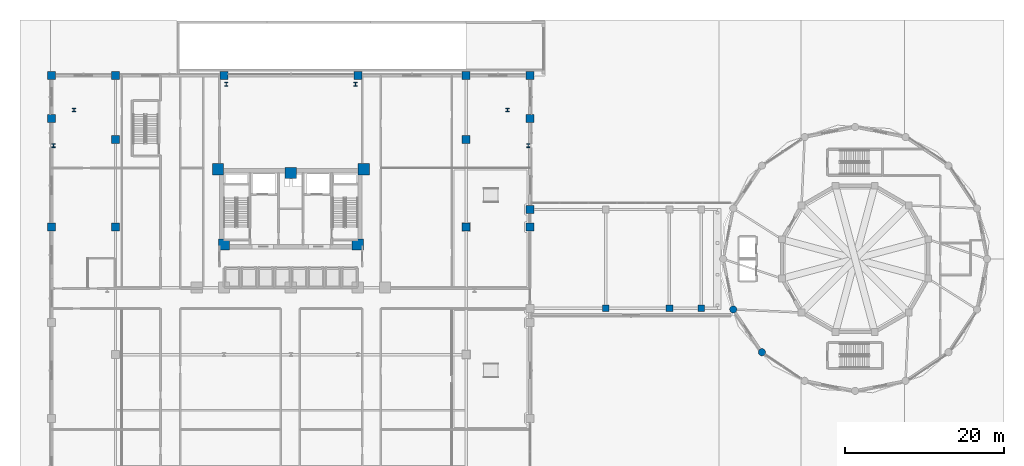
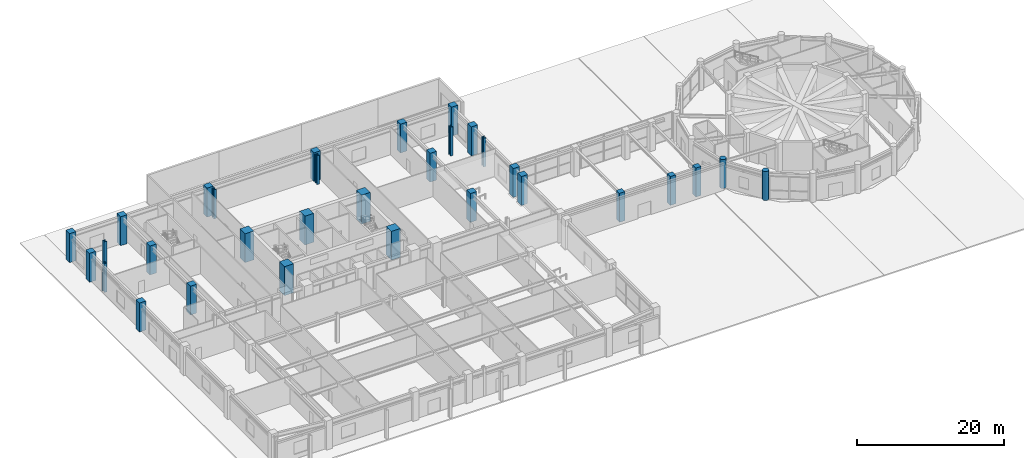
# One storey, part 3 of 40: 31 columns.
"""IFC4 building model written with IfcOpenShell, lengths in metres."""

from ifc_helpers import new_model, si_unit, derived_unit, direction, frame, origin, origin_2d, place, context, subcontext, project, spatial, rectangle, circle, i_section, extrude, source, transform, mapped, material, material_profile, profile_set, type_object, element, save


model = new_model("IFC4")

# Units and contexts
model_context = context("Model", 3, precision=1e-05, world=origin(), true_north=direction((0.0, 1.0)))
body_context = subcontext(model_context, "Body", "Model", "MODEL_VIEW")
ifc_project = project(units=[si_unit("LENGTHUNIT", "METRE"), si_unit("AREAUNIT", "SQUARE_METRE"), si_unit("VOLUMEUNIT", "CUBIC_METRE"), si_unit("PLANEANGLEUNIT", "RADIAN"), si_unit("MASSUNIT", "GRAM", prefix="KILO"), derived_unit("THERMALTRANSMITTANCEUNIT", [(si_unit("POWERUNIT", "WATT"), 1), (si_unit("LENGTHUNIT", "METRE"), -2), (si_unit("THERMODYNAMICTEMPERATUREUNIT", "KELVIN"), -1)])], contexts=[model_context])

# Site, building, storey
site_placement = place(None, origin())
site = spatial("IfcSite", under=ifc_project, at=site_placement, CompositionType="ELEMENT")
building_placement = place(site_placement, origin())
building = spatial("IfcBuilding", under=site, at=building_placement, Name="Korsvarv Bourse and Concert Hall", CompositionType="ELEMENT")
storey_placement = place(building_placement, origin())
storey = spatial("IfcBuildingStorey", under=building, at=storey_placement, Name="L00", CompositionType="ELEMENT", Elevation=0.0)

# Columns
ifc_material_1 = material(Name="Concrete C60/75", Category="concrete")
ifc_material_profile_1 = material_profile(ifc_material_1, rectangle(XDim=1.39990234375, YDim=1.39990234375, at=origin_2d()), Name="RC 1400x1400")
ifc_profile_set_1 = profile_set([ifc_material_profile_1], Name="Concrete C60/75")
column_type_1 = type_object("IfcColumnType", Name="COL-RC1400", PredefinedType="COLUMN", material=ifc_profile_set_1)
shared_shape_1 = source(origin(), body_context, "Body", "SweptSolid", [
    extrude(rectangle(XDim=1.39990234375, YDim=1.39990234375, at=origin_2d()), origin(), (0.0, 0.0, 1.0), 4.800048828125),
])
for number, where, z_axis, x_axis, name in (
    (1, (26.85009765625, 47.25, 0.0), (0.0, 0.0, 1.0), (1.0, 0.0, 0.0), "L00 column C-01"),
    (2, (45.14990234375, 47.25, 0.0), (0.0, 0.0, 1.0), (1.0, 0.0, 0.0), "L00 column C-01"),
    (3, (27.60009765625, 37.800048828125, 0.0), (0.0, 0.0, 1.0), (1.0, 0.0, 0.0), "L00 column C-01"),
    (4, (44.39990234375, 37.800048828125, 0.0), (0.0, 0.0, 1.0), (1.0, 0.0, 0.0), "L00 column C-01"),
    (5, (36.0, 46.800048828125, 0.0), (0.0, 0.0, 1.0), (1.0, 0.0, 0.0), "L00 column C-01"),
):
    element("IfcColumn", number, at=place(storey_placement, frame(where, z_axis=z_axis, x_axis=x_axis)), inside=storey, type_object=column_type_1, Name=name, PredefinedType="COLUMN", context=body_context, shape_type="MappedRepresentation", body=[
        mapped(shared_shape_1, transform((0.0, 0.0, 0.0), scale=1.0)),
    ])
ifc_material_2 = material(Name="Steel S460", Category="steel")
ifc_material_profile_2 = material_profile(ifc_material_2, i_section(OverallWidth=0.424072265625, OverallDepth=0.47412109375, WebThickness=0.044921875, FlangeThickness=0.072021484375, FilletRadius=0.014892578125, at=origin_2d()), Name="HD 400x634")
ifc_profile_set_2 = profile_set([ifc_material_profile_2], Name="Steel S460")
column_type_2 = type_object("IfcColumnType", Name="COL-HD634", PredefinedType="COLUMN", material=ifc_profile_set_2)
shared_shape_2 = source(origin(), body_context, "Body", "SweptSolid", [
    extrude(i_section(OverallWidth=0.424072265625, OverallDepth=0.47412109375, WebThickness=0.044921875, FlangeThickness=0.072021484375, FilletRadius=0.014892578125, at=origin_2d()), origin(), (0.0, 0.0, 1.0), 4.800048828125),
])
for number, where, z_axis, x_axis, name in (
    (6, (65.78857421875, 50.21728515625, 0.0), (0.0, 0.0, 1.0), (1.0, 0.0, 0.0), "L00 column C-07"),
    (7, (63.206787109375, 54.689208984375, 0.0), (0.0, 0.0, 1.0), (1.0, 0.0, 0.0), "L00 column C-07"),
    (8, (44.097412109375, 57.9169921875, 0.0), (0.0, 0.0, 1.0), (1.0, 0.0, 0.0), "L00 column C-07"),
    (9, (27.902587890625, 57.9169921875, 0.0), (0.0, 0.0, 1.0), (1.0, 0.0, 0.0), "L00 column C-07"),
    (10, (8.793212890625, 54.689208984375, 0.0), (0.0, 0.0, 1.0), (1.0, 0.0, 0.0), "L00 column C-07"),
    (11, (6.21142578125, 50.21728515625, 0.0), (0.0, 0.0, 1.0), (1.0, 0.0, 0.0), "L00 column C-07"),
):
    element("IfcColumn", number, at=place(storey_placement, frame(where, z_axis=z_axis, x_axis=x_axis)), inside=storey, type_object=column_type_2, Name=name, PredefinedType="COLUMN", context=body_context, shape_type="MappedRepresentation", body=[
        mapped(shared_shape_2, transform((0.0, 0.0, 0.0), scale=1.0)),
    ])
ifc_material_3 = material(Name="Concrete C55/67", Category="concrete")
ifc_material_profile_3 = material_profile(ifc_material_3, rectangle(XDim=1.0, YDim=1.0, at=origin_2d()), Name="RC 1000x1000")
ifc_profile_set_3 = profile_set([ifc_material_profile_3], Name="Concrete C55/67")
column_type_3 = type_object("IfcColumnType", Name="COL-RC1000", PredefinedType="COLUMN", material=ifc_profile_set_3)
shared_shape_3 = source(origin(), body_context, "Body", "SweptSolid", [
    extrude(rectangle(XDim=1.0, YDim=1.0, at=origin_2d()), origin(), (0.0, 0.0, 1.0), 4.800048828125),
])
for number, where, z_axis, x_axis, name in (
    (12, (6.0, 40.0, 0.0), (0.0, 0.0, 1.0), (1.0, 0.0, 0.0), "L00 column C-03"),
    (13, (6.0, 53.60009765625, 0.0), (0.0, 0.0, 1.0), (1.0, 0.0, 0.0), "L00 column C-03"),
    (14, (6.0, 59.0, 0.0), (0.0, 0.0, 1.0), (1.0, 0.0, 0.0), "L00 column C-03"),
    (15, (66.0, 40.0, 0.0), (0.0, 0.0, 1.0), (1.0, 0.0, 0.0), "L00 column C-03"),
    (16, (66.0, 53.60009765625, 0.0), (0.0, 0.0, 1.0), (1.0, 0.0, 0.0), "L00 column C-03"),
    (17, (66.0, 59.0, 0.0), (0.0, 0.0, 1.0), (1.0, 0.0, 0.0), "L00 column C-03"),
    (18, (14.0, 59.0, 0.0), (0.0, 0.0, 1.0), (1.0, 0.0, 0.0), "L00 column C-03"),
    (19, (27.60009765625, 59.0, 0.0), (0.0, 0.0, 1.0), (1.0, 0.0, 0.0), "L00 column C-03"),
    (20, (44.39990234375, 59.0, 0.0), (0.0, 0.0, 1.0), (1.0, 0.0, 0.0), "L00 column C-03"),
    (21, (58.0, 59.0, 0.0), (0.0, 0.0, 1.0), (1.0, 0.0, 0.0), "L00 column C-03"),
    (22, (14.0, 40.0, 0.0), (0.0, 0.0, 1.0), (1.0, 0.0, 0.0), "L00 column C-03"),
    (23, (58.0, 40.0, 0.0), (0.0, 0.0, 1.0), (1.0, 0.0, 0.0), "L00 column C-03"),
    (24, (14.0, 51.0, 0.0), (0.0, 0.0, 1.0), (1.0, 0.0, 0.0), "L00 column C-03"),
    (25, (58.0, 51.0, 0.0), (0.0, 0.0, 1.0), (1.0, 0.0, 0.0), "L00 column C-03"),
    (26, (66.0, 42.199951171875, 0.0), (0.0, 0.0, 1.0), (1.0, 0.0, 0.0), "L00 column C-03"),
):
    element("IfcColumn", number, at=place(storey_placement, frame(where, z_axis=z_axis, x_axis=x_axis)), inside=storey, type_object=column_type_3, Name=name, PredefinedType="COLUMN", context=body_context, shape_type="MappedRepresentation", body=[
        mapped(shared_shape_3, transform((0.0, 0.0, 0.0), scale=1.0)),
    ])
ifc_material_4 = material(Name="Concrete C50/60", Category="concrete")
ifc_material_profile_4 = material_profile(ifc_material_4, rectangle(XDim=0.85009765625, YDim=0.85009765625, at=origin_2d()), Name="RC 850x850")
ifc_profile_set_4 = profile_set([ifc_material_profile_4], Name="Concrete C50/60")
column_type_4 = type_object("IfcColumnType", Name="COL-RC850", PredefinedType="COLUMN", material=ifc_profile_set_4)
shared_shape_4 = source(origin(), body_context, "Body", "SweptSolid", [
    extrude(rectangle(XDim=0.85009765625, YDim=0.85009765625, at=origin_2d()), origin(), (0.0, 0.0, 1.0), 4.800048828125),
])
for number, where, z_axis, x_axis, name in (
    (27, (75.5, 29.800048828125, 0.0), (0.0, 0.0, 1.0), (1.0, 0.0, 0.0), "L00 column C-04"),
    (28, (83.5, 29.800048828125, 0.0), (0.0, 0.0, 1.0), (1.0, 0.0, 0.0), "L00 column C-04"),
    (29, (87.5, 29.800048828125, 0.0), (0.0, 0.0, 1.0), (1.0, 0.0, 0.0), "L00 column C-04"),
):
    element("IfcColumn", number, at=place(storey_placement, frame(where, z_axis=z_axis, x_axis=x_axis)), inside=storey, type_object=column_type_4, Name=name, PredefinedType="COLUMN", context=body_context, shape_type="MappedRepresentation", body=[
        mapped(shared_shape_4, transform((0.0, 0.0, 0.0), scale=1.0)),
    ])
ifc_material_profile_5 = material_profile(ifc_material_4, circle(Radius=0.449951171875, at=origin_2d()), Name="RC-D900")
ifc_profile_set_5 = profile_set([ifc_material_profile_5], Name="Concrete C50/60")
column_type_5 = type_object("IfcColumnType", Name="COL-RCD900", PredefinedType="COLUMN", material=ifc_profile_set_5)
shared_shape_5 = source(origin(), body_context, "Body", "SweptSolid", [
    extrude(circle(Radius=0.449951171875, at=origin_2d()), origin(), (0.0, 0.0, 1.0), 4.800048828125),
])
for number, where, z_axis, x_axis, name in (
    (30, (91.509765625, 29.66650390625, 0.0), (0.0, 0.0, 1.0), (1.0, 0.0, 0.0), "L00 column C-06"),
    (31, (95.097412109375, 24.29736328125, 0.0), (0.0, 0.0, 1.0), (1.0, 0.0, 0.0), "L00 column C-06"),
):
    element("IfcColumn", number, at=place(storey_placement, frame(where, z_axis=z_axis, x_axis=x_axis)), inside=storey, type_object=column_type_5, Name=name, PredefinedType="COLUMN", context=body_context, shape_type="MappedRepresentation", body=[
        mapped(shared_shape_5, transform((0.0, 0.0, 0.0), scale=1.0)),
    ])

save(model, "model.ifc")
